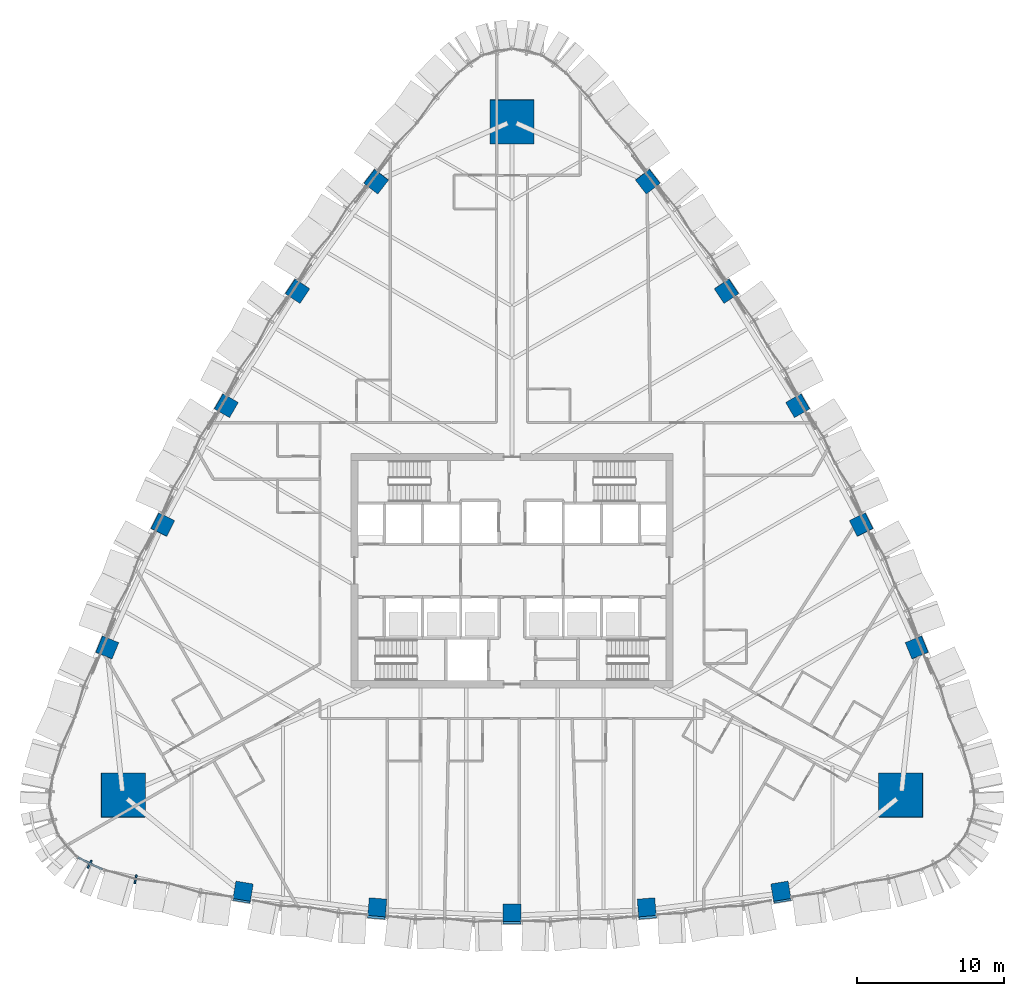
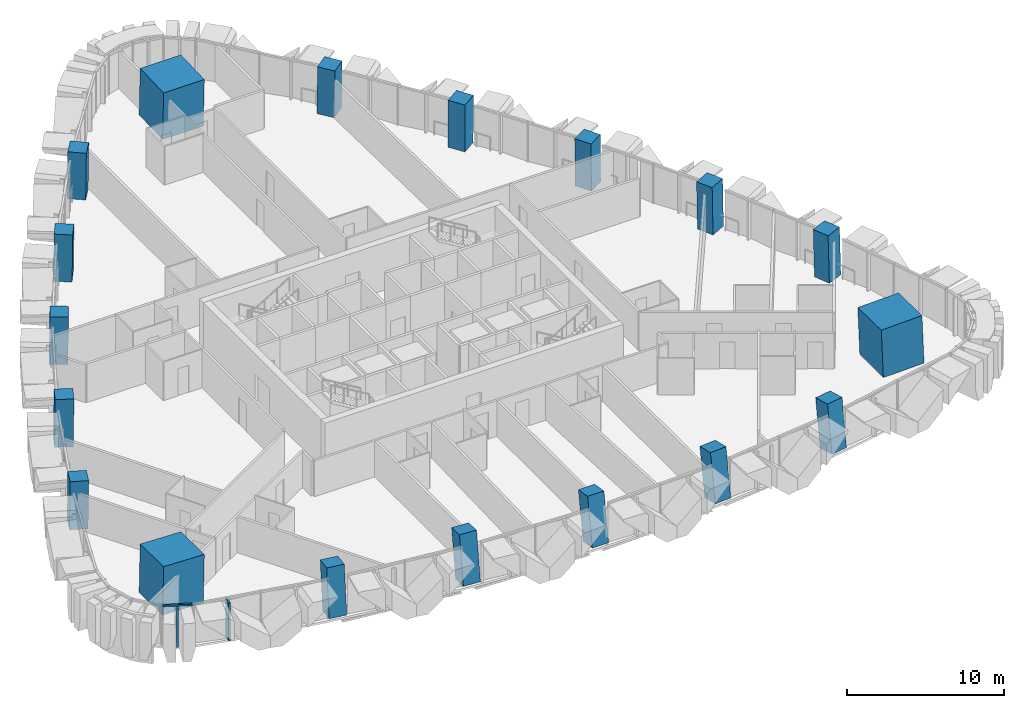
# One storey, part 1 of 23: 18 columns, 3 members, 2 elements without a shape of their own.
"""IFC4 building model written with IfcOpenShell, lengths in metres."""

from ifc_helpers import new_model, si_unit, direction, frame, origin, origin_2d, place, context, subcontext, project, spatial, rectangle, extrude, clip, halfspace, material, layer, layer_set, material_profile, profile_set, type_object, element, aggregate, save


model = new_model("IFC4")

# Units and contexts
model_context = context("Model", 3, precision=1e-05, world=origin(), true_north=direction((0.0, 1.0)))
body_context = subcontext(model_context, "Body", "Model", "MODEL_VIEW")
ifc_project = project(units=[si_unit("LENGTHUNIT", "METRE"), si_unit("AREAUNIT", "SQUARE_METRE"), si_unit("VOLUMEUNIT", "CUBIC_METRE"), si_unit("PLANEANGLEUNIT", "RADIAN"), si_unit("MASSUNIT", "GRAM", prefix="KILO")], contexts=[model_context])

# Site, building, storey
site_placement = place(None, origin())
site = spatial("IfcSite", under=ifc_project, at=site_placement, CompositionType="ELEMENT")
building_placement = place(site_placement, origin())
building = spatial("IfcBuilding", under=site, at=building_placement, Name="Sierra Prisma Convention Tower", CompositionType="ELEMENT")
storey_placement = place(building_placement, frame((0.0, 0.0, 70.199951171875)))
storey = spatial("IfcBuildingStorey", under=building, at=storey_placement, Name="L13", CompositionType="ELEMENT", Elevation=70.199951171875)

# Columns
ifc_material_1 = material(Name="Concrete C60/75", Category="concrete")
ifc_material_profile_1 = material_profile(ifc_material_1, rectangle(XDim=3.0, YDim=3.0, at=origin_2d()), Name="Mega column RC 3000 C60/75")
ifc_profile_set_1 = profile_set([ifc_material_profile_1], Name="Concrete C60/75")
column_type_1 = type_object("IfcColumnType", Name="Mega column RC 3000 C60/75", PredefinedType="COLUMN", material=ifc_profile_set_1)
for number, where, z_axis, x_axis, name in (
    (1, (26.562744140625, -15.3359375, 0.0), (-0.030531992032, 0.017607001884, 0.999378702468), (0.999533790055, 0.000537827582, 0.03052725469), "Mega column SE L13"),
    (2, (0.0, 30.672119140625, 0.0), (0.0, -0.035279904102, 0.999377470412), (1.0, 0.0, 0.0), "Mega column N L13"),
    (3, (-26.562744140625, -15.3359375, 0.0), (0.030531992032, 0.017607001884, 0.999378702468), (0.999533790055, -0.000537827582, -0.03052725469), "Mega column SW L13"),
):
    element("IfcColumn", number, at=place(storey_placement, frame(where, z_axis=z_axis, x_axis=x_axis)), inside=storey, type_object=column_type_1, Name=name, PredefinedType="COLUMN", context=body_context, shape_type="SweptSolid", body=[
        extrude(rectangle(XDim=3.0, YDim=3.0, at=origin_2d()), origin(), (0.0, 0.0, 1.0), 3.7021484375),
    ])
ifc_material_2 = material(Name="Concrete C60/75", Category="concrete")
ifc_material_profile_2 = material_profile(ifc_material_2, rectangle(XDim=1.199951171875, YDim=1.199951171875, at=origin_2d()), Name="Perimeter column RC 1200 C60/75")
ifc_profile_set_2 = profile_set([ifc_material_profile_2], Name="Concrete C60/75")
column_type_2 = type_object("IfcColumnType", Name="Perimeter column RC 1200 C60/75", PredefinedType="COLUMN", material=ifc_profile_set_2)
column_1_placement = place(storey_placement, frame((-18.373291015625, -22.02587890625, 0.0), z_axis=(0.019064832202, 0.117599222687, 0.992878116889), x_axis=(-0.986248254133, 0.165269400969, -0.000637435354)))
element("IfcColumn", 4, at=column_1_placement, inside=storey, type_object=column_type_2, Name="Perimeter column S-1 L13", PredefinedType="COLUMN", context=body_context, shape_type="SweptSolid", body=[
    clip(clip(extrude(rectangle(XDim=1.199951171875, YDim=1.199951171875, at=origin_2d()), origin(), (0.0, 0.0, 1.0), 3.7265625), halfspace(frame((0.0, 0.0, 0.0146484375)), True)), halfspace(frame((0.0, 0.0, 3.711669921875)), False)),
])
column_2_placement = place(storey_placement, frame((-9.206787109375, -23.165283203125, 0.0), z_axis=(0.009522132827, 0.151506264083, 0.988410431415), x_axis=(-0.996564259393, 0.082765659269, -0.003085862396)))
element("IfcColumn", 5, at=column_2_placement, inside=storey, type_object=column_type_2, Name="Perimeter column S-2 L13", PredefinedType="COLUMN", context=body_context, shape_type="SweptSolid", body=[
    clip(clip(extrude(rectangle(XDim=1.199951171875, YDim=1.199951171875, at=origin_2d()), origin(), (0.0, 0.0, 1.0), 3.743408203125), halfspace(frame((0.0, 0.0, 0.017822265625)), True)), halfspace(frame((0.0, 0.0, 3.72509765625)), False)),
])
column_3_placement = place(storey_placement, frame((0.0, -23.544677734375, 0.0), z_axis=(0.0, 0.162508802785, 0.986707093832), x_axis=(1.0, 0.0, 0.0)))
element("IfcColumn", 6, at=column_3_placement, inside=storey, type_object=column_type_2, Name="Perimeter column S-3 L13", PredefinedType="COLUMN", context=body_context, shape_type="SweptSolid", body=[
    clip(clip(extrude(rectangle(XDim=1.199951171875, YDim=1.199951171875, at=origin_2d()), origin(), (0.0, 0.0, 1.0), 3.749755859375), halfspace(frame((0.0, 0.0, 0.017578125)), True)), halfspace(frame((0.0, 0.0, 3.7314453125)), False)),
])
column_4_placement = place(storey_placement, frame((9.206787109375, -23.165283203125, 0.0), z_axis=(-0.009522132827, 0.151506264083, 0.988410431415), x_axis=(0.996564259393, 0.082765659269, -0.003085862396)))
element("IfcColumn", 7, at=column_4_placement, inside=storey, type_object=column_type_2, Name="Perimeter column S-4 L13", PredefinedType="COLUMN", context=body_context, shape_type="SweptSolid", body=[
    clip(clip(extrude(rectangle(XDim=1.199951171875, YDim=1.199951171875, at=origin_2d()), origin(), (0.0, 0.0, 1.0), 3.743408203125), halfspace(frame((0.0, 0.0, 0.017822265625)), True)), halfspace(frame((0.0, 0.0, 3.72509765625)), False)),
])
column_5_placement = place(storey_placement, frame((18.373291015625, -22.02587890625, 0.0), z_axis=(-0.019064832202, 0.117599222687, 0.992878116889), x_axis=(0.986248254133, 0.165269400969, -0.000637435354)))
element("IfcColumn", 8, at=column_5_placement, inside=storey, type_object=column_type_2, Name="Perimeter column S-5 L13", PredefinedType="COLUMN", context=body_context, shape_type="SweptSolid", body=[
    clip(clip(extrude(rectangle(XDim=1.199951171875, YDim=1.199951171875, at=origin_2d()), origin(), (0.0, 0.0, 1.0), 3.7265625), halfspace(frame((0.0, 0.0, 0.0146484375)), True)), halfspace(frame((0.0, 0.0, 3.711669921875)), False)),
])
column_6_placement = place(storey_placement, frame((27.644287109375, -5.25537109375, 0.0), z_axis=(-0.019460655113, 0.011016709844, 0.999749926235), x_axis=(-0.381333758454, 0.9242697276, -0.017607819416)))
element("IfcColumn", 9, at=column_6_placement, inside=storey, type_object=column_type_2, Name="Perimeter column NE-1 L13", PredefinedType="COLUMN", context=body_context, shape_type="SweptSolid", body=[
    extrude(rectangle(XDim=1.199951171875, YDim=1.199951171875, at=origin_2d()), origin(), (0.0, 0.0, 1.0), 3.700927734375),
])
column_7_placement = place(storey_placement, frame((23.851318359375, 3.139404296875, 0.0), z_axis=(-0.015306644787, 0.002309192102, 0.99988017995), x_axis=(-0.441616967633, 0.897160209643, -0.00883244763)))
element("IfcColumn", 10, at=column_7_placement, inside=storey, type_object=column_type_2, Name="Perimeter column NE-2 L13", PredefinedType="COLUMN", context=body_context, shape_type="SweptSolid", body=[
    extrude(rectangle(XDim=1.199951171875, YDim=1.199951171875, at=origin_2d()), origin(), (0.0, 0.0, 1.0), 3.700439453125),
])
column_8_placement = place(storey_placement, frame((19.51171875, 11.264892578125, 0.0), z_axis=(-0.010754701703, -0.006136118149, 0.999923339284), x_axis=(-0.499971083262, 0.866042095943, -6.290806e-05)))
element("IfcColumn", 11, at=column_8_placement, inside=storey, type_object=column_type_2, Name="Perimeter column NE-3 L13", PredefinedType="COLUMN", context=body_context, shape_type="SweptSolid", body=[
    extrude(rectangle(XDim=1.199951171875, YDim=1.199951171875, at=origin_2d()), origin(), (0.0, 0.0, 1.0), 3.7001953125),
])
column_9_placement = place(storey_placement, frame((14.644287109375, 19.086181640625, 0.0), z_axis=(-0.005674011074, -0.014448935178, 0.999879509676), x_axis=(-0.556135818375, 0.831044265652, 0.008853250663)))
element("IfcColumn", 12, at=column_9_placement, inside=storey, type_object=column_type_2, Name="Perimeter column NE-4 L13", PredefinedType="COLUMN", context=body_context, shape_type="SweptSolid", body=[
    extrude(rectangle(XDim=1.199951171875, YDim=1.199951171875, at=origin_2d()), origin(), (0.0, 0.0, 1.0), 3.700439453125),
])
for number, where, z_axis, x_axis, name in (
    (13, (9.27099609375, 26.568359375, 0.0), (-0.000263873276, -0.02236326018, 0.999749876202), (-0.609857478762, 0.792316491726, 0.017562247495), "Perimeter column NE-5 L13"),
    (14, (-9.27099609375, 26.568359375, 0.0), (0.000263873276, -0.02236326018, 0.999749876202), (0.609857478762, 0.792316491726, 0.017562247495), "Perimeter column NW-1 L13"),
):
    element("IfcColumn", number, at=place(storey_placement, frame(where, z_axis=z_axis, x_axis=x_axis)), inside=storey, type_object=column_type_2, Name=name, PredefinedType="COLUMN", context=body_context, shape_type="SweptSolid", body=[
        extrude(rectangle(XDim=1.199951171875, YDim=1.199951171875, at=origin_2d()), origin(), (0.0, 0.0, 1.0), 3.700927734375),
    ])
column_10_placement = place(storey_placement, frame((-14.644287109375, 19.086181640625, 0.0), z_axis=(0.005674011074, -0.014448935178, 0.999879509676), x_axis=(0.556135818375, 0.831044265652, 0.008853250663)))
element("IfcColumn", 15, at=column_10_placement, inside=storey, type_object=column_type_2, Name="Perimeter column NW-2 L13", PredefinedType="COLUMN", context=body_context, shape_type="SweptSolid", body=[
    extrude(rectangle(XDim=1.199951171875, YDim=1.199951171875, at=origin_2d()), origin(), (0.0, 0.0, 1.0), 3.700439453125),
])
column_11_placement = place(storey_placement, frame((-19.51171875, 11.264892578125, 0.0), z_axis=(0.010754701703, -0.006136118149, 0.999923339284), x_axis=(0.499971083262, 0.866042095943, -6.290806e-05)))
element("IfcColumn", 16, at=column_11_placement, inside=storey, type_object=column_type_2, Name="Perimeter column NW-3 L13", PredefinedType="COLUMN", context=body_context, shape_type="SweptSolid", body=[
    extrude(rectangle(XDim=1.199951171875, YDim=1.199951171875, at=origin_2d()), origin(), (0.0, 0.0, 1.0), 3.7001953125),
])
column_12_placement = place(storey_placement, frame((-23.851318359375, 3.139404296875, 0.0), z_axis=(0.015306644787, 0.002309192102, 0.99988017995), x_axis=(0.441616967633, 0.897160209643, -0.00883244763)))
element("IfcColumn", 17, at=column_12_placement, inside=storey, type_object=column_type_2, Name="Perimeter column NW-4 L13", PredefinedType="COLUMN", context=body_context, shape_type="SweptSolid", body=[
    extrude(rectangle(XDim=1.199951171875, YDim=1.199951171875, at=origin_2d()), origin(), (0.0, 0.0, 1.0), 3.700439453125),
])
column_13_placement = place(storey_placement, frame((-27.644287109375, -5.25537109375, 0.0), z_axis=(0.019460655113, 0.011016709844, 0.999749926235), x_axis=(0.381333758454, 0.9242697276, -0.017607819416)))
element("IfcColumn", 18, at=column_13_placement, inside=storey, type_object=column_type_2, Name="Perimeter column NW-5 L13", PredefinedType="COLUMN", context=body_context, shape_type="SweptSolid", body=[
    extrude(rectangle(XDim=1.199951171875, YDim=1.199951171875, at=origin_2d()), origin(), (0.0, 0.0, 1.0), 3.700927734375),
])

# Curtain wall, member
ifc_material_3 = material(Name="Aluminium and glass curtain wall", Category="aluminium")
ifc_layer = layer(ifc_material_3, 0.179931640625)
ifc_layer_set = layer_set([ifc_layer], Name="CW-2 Faceted crystal curtain wall")
curtain_wall_type = type_object("IfcCurtainWallType", Name="CW-2 Faceted crystal curtain wall", PredefinedType="NOTDEFINED", material=ifc_layer_set)
curtain_wall_1_placement = place(storey_placement, origin())
curtain_wall_1 = element("IfcCurtainWall", 19, at=curtain_wall_1_placement, inside=storey, type_object=curtain_wall_type, Name="CW-2 S1 L13", PredefinedType="NOTDEFINED")
ifc_material_4 = material(Name="Aluminium 6063-T6 bronze anodised", Category="aluminium")
ifc_material_profile_3 = material_profile(ifc_material_4, rectangle(XDim=0.1201171875, YDim=0.60009765625, at=origin_2d()), Name="ALU RIDGE BLADE 120x600")
ifc_profile_set_3 = profile_set([ifc_material_profile_3], Name="Aluminium 6063-T6 bronze anodised")
member_type_1 = type_object("IfcMemberType", Name="CW hip bronze", PredefinedType="MULLION", material=ifc_profile_set_3)
member_1_placement = place(storey_placement, frame((-25.689208984375, -21.068115234375, 0.0), z_axis=(0.0, 0.0, 1.0), x_axis=(0.978513494972, -0.20618278337, 0.0)))
member_1 = element("IfcMember", 20, at=member_1_placement, type_object=member_type_1, Name="CW-2 ridge S1.1", PredefinedType="MULLION", context=body_context, shape_type="SweptSolid", body=[
    extrude(rectangle(XDim=0.1201171875, YDim=0.60009765625, at=origin_2d()), origin(), (0.0, 0.0, 1.0), 2.97998046875),
])
aggregate(curtain_wall_1, [member_1])

# Curtain wall, members
curtain_wall_2_placement = place(storey_placement, origin())
curtain_wall_2 = element("IfcCurtainWall", 21, at=curtain_wall_2_placement, inside=storey, type_object=curtain_wall_type, Name="CW-2 SW4 L13", PredefinedType="NOTDEFINED")
member_2_placement = place(storey_placement, frame((-28.829833984375, -20.04736328125, 0.0), z_axis=(0.0, 0.0, 1.0), x_axis=(0.897676892997, -0.440654281471, 0.0)))
member_2 = element("IfcMember", 22, at=member_2_placement, type_object=member_type_1, Name="CW-2 ridge SW4.1", PredefinedType="MULLION", context=body_context, shape_type="SweptSolid", body=[
    extrude(rectangle(XDim=0.1201171875, YDim=0.60009765625, at=origin_2d()), origin(), (0.0, 0.0, 1.0), 2.97998046875),
])
ifc_material_5 = material(Name="Aluminium 6063-T6 bronze anodised", Category="aluminium")
ifc_material_profile_4 = material_profile(ifc_material_5, rectangle(XDim=0.139892578125, YDim=0.1201171875, at=origin_2d()), Name="ALU TRANSOM 120x140")
ifc_profile_set_4 = profile_set([ifc_material_profile_4], Name="Aluminium 6063-T6 bronze anodised")
member_type_2 = type_object("IfcMemberType", Name="CW transom bronze", PredefinedType="USERDEFINED", material=ifc_profile_set_4)
member_3_placement = place(storey_placement, frame((-29.640380859375, -19.567138671875, 3.0400390625), z_axis=(0.89765265429, -0.440703655812, 0.0), x_axis=(0.440703655812, 0.89765265429, 0.0)))
member_3 = element("IfcMember", 23, at=member_3_placement, type_object=member_type_2, Name="CW-1 transom SW4.1", ObjectType="TRANSOM", PredefinedType="USERDEFINED", context=body_context, shape_type="SweptSolid", body=[
    extrude(rectangle(XDim=0.139892578125, YDim=0.1201171875, at=origin_2d()), origin(), (0.0, 0.0, 1.0), 1.878662109375),
])
aggregate(curtain_wall_2, [member_3, member_2])

save(model, "model.ifc")
